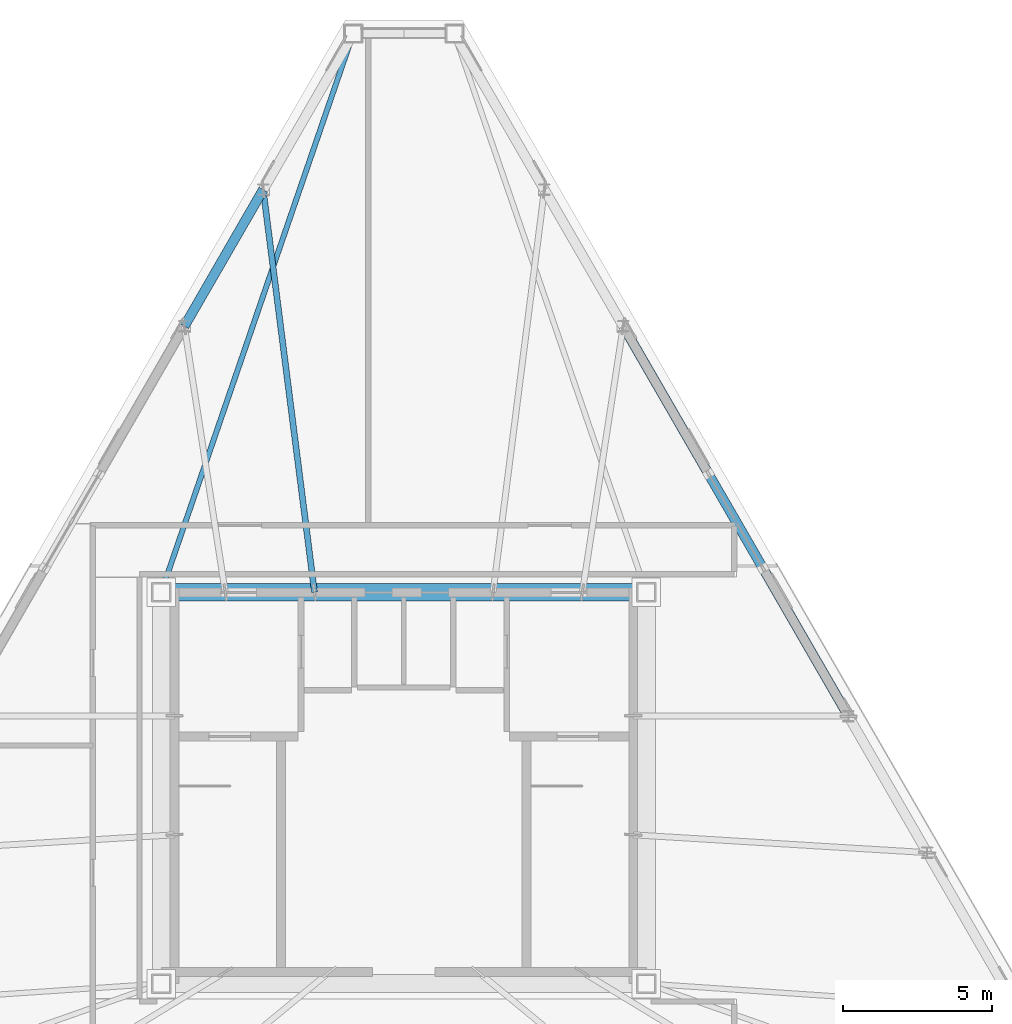
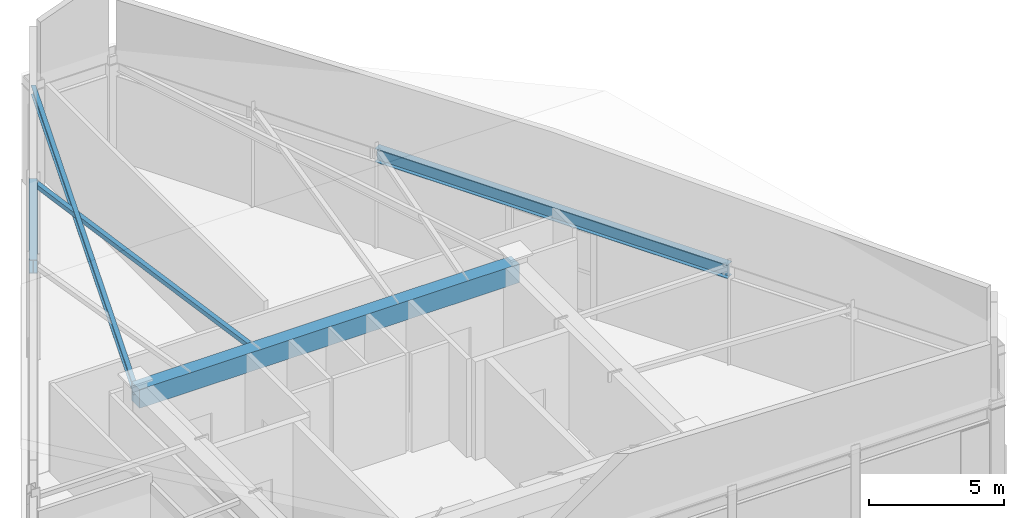
# One storey, part 5 of 11: 4 beams, 1 member.
"""IFC4 building model written with IfcOpenShell, lengths in metres."""

import ifcopenshell
import ifcopenshell.guid

model = None  # the IFC model being written
_history = None  # IfcOwnerHistory: only IFC2X3 demands one
_inside = {}  # id of a spatial element -> (the spatial element, [elements in it])
_under = {}  # id of a project, library or spatial element -> (it, [spatial elements below it])
_declared = {}  # id of a project -> (the project, [libraries it declares])
_typed = {}  # id of a type object -> (the type object, [elements of that type])
_made_of = {}  # id of a material, layer set ... -> (it, [elements and type objects made of it])


def new_model(schema):
    """Start an empty IFC model of exactly this schema.

    Asked for "IFC4X3", IfcOpenShell would pick the latest addendum, in which some entities
    have other attributes; the version numbers below select the first issue.
    IFC2X3 requires an IfcOwnerHistory on every rooted entity: one is made here for all.
    """
    global model, _history
    if schema == "IFC4X3":
        model = ifcopenshell.file(schema_version=(4, 3, 0, 0))
    else:
        model = ifcopenshell.file(schema=schema)
    _inside.clear()
    _under.clear()
    _declared.clear()
    _typed.clear()
    _made_of.clear()
    _history = None
    if model.schema == "IFC2X3":
        org = make("IfcOrganization", Name="unknown")
        user = make(
            "IfcPersonAndOrganization",
            ThePerson=make("IfcPerson", FamilyName="unknown"),
            TheOrganization=org,
        )
        app = make(
            "IfcApplication",
            ApplicationDeveloper=org,
            Version="unknown",
            ApplicationFullName="unknown",
            ApplicationIdentifier="unknown",
        )
        _history = make(
            "IfcOwnerHistory",
            OwningUser=user,
            OwningApplication=app,
            ChangeAction="ADDED",
            CreationDate=0,
        )
    return model


def make(cls, **values):
    """One entity of the class cls with the attributes given. An attribute that is None is left unset."""
    return model.create_entity(
        cls, **{name: value for name, value in values.items() if value is not None}
    )


def rooted(cls, **values):
    """An entity with a GlobalId (a new one), such as an element, a storey or a relation."""
    return make(cls, GlobalId=ifcopenshell.guid.new(), OwnerHistory=_history, **values)


def si_unit(unit_type, name, prefix=None):
    """IfcSIUnit, for example si_unit("LENGTHUNIT", "METRE", prefix="MILLI")."""
    return make("IfcSIUnit", UnitType=unit_type, Prefix=prefix, Name=name)


def assignment(units):
    """IfcUnitAssignment: the units of a project."""
    return None if units is None else make("IfcUnitAssignment", Units=units)


def point(xyz):
    """IfcCartesianPoint."""
    return None if xyz is None else make("IfcCartesianPoint", Coordinates=xyz)


def direction(xyz):
    """IfcDirection."""
    return None if xyz is None else make("IfcDirection", DirectionRatios=xyz)


def frame(location, z_axis=None, x_axis=None):
    """IfcAxis2Placement3D, a coordinate frame: its origin and axes. An axis left out is left unset."""
    return make(
        "IfcAxis2Placement3D",
        Location=point(location),
        Axis=direction(z_axis),
        RefDirection=direction(x_axis),
    )


def frame_2d(location, x_axis=None):
    """IfcAxis2Placement2D, a coordinate frame in the plane: its origin and x axis."""
    return make(
        "IfcAxis2Placement2D", Location=point(location), RefDirection=direction(x_axis)
    )


def origin():
    """The frame at (0, 0, 0) with its axes left unset."""
    return frame((0.0, 0.0, 0.0))


def origin_2d():
    """The frame at (0, 0) in the plane with its x axis left unset."""
    return frame_2d((0.0, 0.0))


def place(relative_to, where):
    """IfcLocalPlacement: puts the frame where relative to a parent placement (None: the world)."""
    return make(
        "IfcLocalPlacement", PlacementRelTo=relative_to, RelativePlacement=where
    )


def context(
    kind, dimensions, precision=None, world=None, true_north=None, identifier=None
):
    """IfcGeometricRepresentationContext, for example the 3D "Model" context."""
    return make(
        "IfcGeometricRepresentationContext",
        ContextIdentifier=identifier,
        ContextType=kind,
        CoordinateSpaceDimension=dimensions,
        Precision=precision,
        WorldCoordinateSystem=world,
        TrueNorth=true_north,
    )


def subcontext(parent, identifier, kind, view, scale=None):
    """IfcGeometricRepresentationSubContext, for example "Body" below "Model"."""
    return make(
        "IfcGeometricRepresentationSubContext",
        ContextIdentifier=identifier,
        ContextType=kind,
        ParentContext=parent,
        TargetScale=scale,
        TargetView=view,
    )


def project(units=None, contexts=None):
    """IfcProject with its units and contexts."""
    return rooted(
        "IfcProject",
        Name="project",
        RepresentationContexts=contexts,
        UnitsInContext=assignment(units),
    )


def spatial(cls, under=None, at=None, **own):
    """A site, building, storey or space (cls), placed at a placement, below another one or the project."""
    s = rooted(cls, ObjectPlacement=at, **own)
    if under is not None:
        _under.setdefault(under.id(), (under, []))[1].append(s)
    return s


def profile(cls, at=None, kind="AREA", **sizes):
    """A parametric profile (cls). Its sizes go by their IFC names, for example OverallWidth=200.0."""
    return make(cls, ProfileType=kind, Position=at, **sizes)


def rectangle(**sizes):
    """IfcRectangleProfileDef."""
    return profile("IfcRectangleProfileDef", **sizes)


def hollow_rectangle(**sizes):
    """IfcRectangleHollowProfileDef."""
    return profile("IfcRectangleHollowProfileDef", **sizes)


def i_section(**sizes):
    """IfcIShapeProfileDef."""
    return profile("IfcIShapeProfileDef", **sizes)


def extrude(swept, where, along, depth):
    """IfcExtrudedAreaSolid: the profile swept, set in the frame where, extruded along a direction by depth."""
    return make(
        "IfcExtrudedAreaSolid",
        SweptArea=swept,
        Position=where,
        ExtrudedDirection=direction(along),
        Depth=depth,
    )


def shape(context_of_items, identifier, shape_type, items):
    """IfcShapeRepresentation: the items that make up one representation, for example the "Body"."""
    return make(
        "IfcShapeRepresentation",
        ContextOfItems=context_of_items,
        RepresentationIdentifier=identifier,
        RepresentationType=shape_type,
        Items=items,
    )


def material(Name=None, Category=None):
    """IfcMaterial."""
    return make("IfcMaterial", Name=Name, Category=Category)


def material_profile(
    of_material, cross_section, Name=None, Category=None, Priority=None
):
    """IfcMaterialProfile: a cross section and its material."""
    return make(
        "IfcMaterialProfile",
        Name=Name,
        Material=of_material,
        Profile=cross_section,
        Priority=Priority,
        Category=Category,
    )


def profile_set(profiles, Name=None, composite=None):
    """IfcMaterialProfileSet."""
    return make(
        "IfcMaterialProfileSet",
        Name=Name,
        MaterialProfiles=profiles,
        CompositeProfile=composite,
    )


def made_of(thing, what):
    """Note that an element or type object is made of a material, layer set ...; save() writes the relation."""
    if what is not None:
        _made_of.setdefault(what.id(), (what, []))[1].append(thing)
    return thing


def type_object(cls, material=None, **own):
    """A type object (cls), such as IfcWallType, which elements share."""
    return made_of(rooted(cls, **own), material)


def element(
    cls,
    number,
    at=None,
    inside=None,
    cuts=None,
    type_object=None,
    material=None,
    context=None,
    identifier="Body",
    shape_type=None,
    held_by="IfcProductDefinitionShape",
    body=None,
    shapes=None,
    **own,
):
    """One element of the class cls, such as IfcWall. Its Tag is "e" and its number.

    at: its placement. inside: the storey or other place that contains it. cuts: it is an
    opening in that element (IfcRelVoidsElement). A single representation is given by context,
    identifier, shape_type and body (its items); several are given by shapes. held_by: the class
    of the entity that holds the representations. save() writes the other relations.
    """
    e = rooted(cls, Tag="e%d" % number, ObjectPlacement=at, **own)
    if body is not None:
        shapes = [shape(context, identifier, shape_type, body)]
    if shapes is not None:
        e.Representation = make(held_by, Representations=shapes)
    if inside is not None:
        _inside.setdefault(inside.id(), (inside, []))[1].append(e)
    if cuts is not None:
        rooted(
            "IfcRelVoidsElement", RelatingBuildingElement=cuts, RelatedOpeningElement=e
        )
    if type_object is not None:
        _typed.setdefault(type_object.id(), (type_object, []))[1].append(e)
    return made_of(e, material)


def aggregate(whole, parts):
    """IfcRelAggregates: a whole, such as a stair, and the parts it consists of."""
    return rooted("IfcRelAggregates", RelatingObject=whole, RelatedObjects=parts)


def save(model, path):
    """Write the relations noted so far, then the file.

    IfcRelAggregates (storeys below a building ...), IfcRelContainedInSpatialStructure (elements
    in a storey), IfcRelDefinesByType, IfcRelAssociatesMaterial and IfcRelDeclares: one each for
    every whole, place, type object, material and project.
    """
    for whole, parts in _under.values():
        aggregate(whole, parts)
    for where, things in _inside.values():
        rooted(
            "IfcRelContainedInSpatialStructure",
            RelatedElements=things,
            RelatingStructure=where,
        )
    for kind, things in _typed.values():
        rooted("IfcRelDefinesByType", RelatedObjects=things, RelatingType=kind)
    for what, things in _made_of.values():
        rooted("IfcRelAssociatesMaterial", RelatedObjects=things, RelatingMaterial=what)
    for by, libraries in _declared.values():
        rooted("IfcRelDeclares", RelatingContext=by, RelatedDefinitions=libraries)
    model.write(path)


model = new_model("IFC4")

# Units and contexts
model_context = context("Model", 3, precision=1e-05, world=origin(), true_north=direction((0.0, 1.0)))
body_context = subcontext(model_context, "Body", "Model", "MODEL_VIEW")
ifc_project = project(units=[si_unit("LENGTHUNIT", "METRE"), si_unit("AREAUNIT", "SQUARE_METRE"), si_unit("VOLUMEUNIT", "CUBIC_METRE"), si_unit("PLANEANGLEUNIT", "RADIAN"), si_unit("MASSUNIT", "GRAM", prefix="KILO")], contexts=[model_context])

# Site, building, storey
site_placement = place(None, origin())
site = spatial("IfcSite", under=ifc_project, at=site_placement, CompositionType="ELEMENT")
building_placement = place(site_placement, origin())
building = spatial("IfcBuilding", under=site, at=building_placement, Name="Oramaril Tower", CompositionType="ELEMENT")
storey_placement = place(building_placement, frame((0.0, 0.0, 318.89990234375)))
storey = spatial("IfcBuildingStorey", under=building, at=storey_placement, Name="L83", CompositionType="ELEMENT", Elevation=318.89990234375)

# Beams
ifc_material_1 = material(Name="Concrete C50/60", Category="concrete")
ifc_material_profile_1 = material_profile(ifc_material_1, rectangle(XDim=0.60009765625, YDim=0.85009765625, at=origin_2d()), Name="CB600X850")
ifc_profile_set_1 = profile_set([ifc_material_profile_1], Name="Concrete C50/60")
beam_type_1 = type_object("IfcBeamType", Name="BT-CB2", PredefinedType="BEAM", material=ifc_profile_set_1)
beam_1_placement = place(storey_placement, frame((45.64990234375, 24.14990234375, 4.03515625), z_axis=(-1.0, 0.0, 0.0), x_axis=(0.0, -1.0, 0.0)))
element("IfcBeam", 1, at=beam_1_placement, inside=storey, type_object=beam_type_1, Name="L83 Core Header Beam CB-3", PredefinedType="BEAM", context=body_context, shape_type="SweptSolid", body=[
    extrude(rectangle(XDim=0.60009765625, YDim=0.85009765625, at=origin_2d()), origin(), (0.0, 0.0, 1.0), 16.2998046875),
])
ifc_material_2 = material(Name="Steel ASTM A572 Gr 50", Category="steel")
ifc_material_profile_2 = material_profile(ifc_material_2, i_section(OverallWidth=0.177978515625, OverallDepth=0.404052734375, WebThickness=0.007568359375, FlangeThickness=0.010986328125, at=origin_2d()), Name="W16X36")
ifc_profile_set_2 = profile_set([ifc_material_profile_2], Name="Steel ASTM A572 Gr 50")
beam_type_2 = type_object("IfcBeamType", Name="BT-SB1", PredefinedType="BEAM", material=ifc_profile_set_2)
beam_2_placement = place(storey_placement, frame((29.35009765625, 24.14990234375, 4.258056640625), z_axis=(0.325044703375, 0.945698652218, 0.0), x_axis=(-0.945698652218, 0.325044703375, 0.0)))
element("IfcBeam", 2, at=beam_2_placement, inside=storey, type_object=beam_type_2, Name="L83 Radial Primary Beam RB-06", PredefinedType="BEAM", context=body_context, shape_type="SweptSolid", body=[
    extrude(i_section(OverallWidth=0.177978515625, OverallDepth=0.404052734375, WebThickness=0.007568359375, FlangeThickness=0.010986328125, at=origin_2d()), origin(), (0.0, 0.0, 1.0), 19.847900390625),
])
ifc_material_3 = material(Name="Steel ASTM A572 Gr 50", Category="steel")
ifc_material_profile_3 = material_profile(ifc_material_3, i_section(OverallWidth=0.324951171875, OverallDepth=0.612060546875, WebThickness=0.0126953125, FlangeThickness=0.01904296875, at=origin_2d()), Name="W24X104")
ifc_profile_set_3 = profile_set([ifc_material_profile_3], Name="Steel ASTM A572 Gr 50")
beam_type_3 = type_object("IfcBeamType", Name="BT-SP5", PredefinedType="SPANDREL", material=ifc_profile_set_3)
beam_3_placement = place(storey_placement, frame((52.43798828125, 19.98876953125, 4.154052734375), z_axis=(-0.500005522576, 0.8660222153, 0.0), x_axis=(-0.8660222153, -0.500005522576, 0.0)))
element("IfcBeam", 3, at=beam_3_placement, inside=storey, type_object=beam_type_3, Name="L83 Perimeter Spandrel 10", PredefinedType="SPANDREL", context=body_context, shape_type="SweptSolid", body=[
    extrude(i_section(OverallWidth=0.324951171875, OverallDepth=0.612060546875, WebThickness=0.0126953125, FlangeThickness=0.01904296875, at=origin_2d()), origin(), (0.0, 0.0, 1.0), 15.130615234375),
])
beam_4_placement = place(storey_placement, frame((32.775390625, 37.6787109375, 4.154052734375), z_axis=(-0.499996467947, -0.866027443007, 0.0), x_axis=(0.866027443007, -0.499996467947, 0.0)))
element("IfcBeam", 4, at=beam_4_placement, inside=storey, type_object=beam_type_3, Name="L83 Perimeter Spandrel 15", PredefinedType="SPANDREL", context=body_context, shape_type="SweptSolid", body=[
    extrude(i_section(OverallWidth=0.324951171875, OverallDepth=0.612060546875, WebThickness=0.0126953125, FlangeThickness=0.01904296875, at=origin_2d()), origin(), (0.0, 0.0, 1.0), 5.2958984375),
])

# Member
ifc_material_4 = material(Name="Steel ASTM A572 Gr 50", Category="steel")
ifc_material_profile_4 = material_profile(ifc_material_4, hollow_rectangle(XDim=0.199951171875, YDim=0.199951171875, WallThickness=0.010009765625, at=origin_2d()), Name="HSS200X200X10")
ifc_profile_set_4 = profile_set([ifc_material_profile_4], Name="Steel ASTM A572 Gr 50")
member_type = type_object("IfcMemberType", Name="MT-RF1", PredefinedType="RAFTER", material=ifc_profile_set_4)
member_placement = place(storey_placement, frame((32.775390625, 37.6787109375, 4.31005859375), z_axis=(0.126453495487, -0.991972536656, 0.0), x_axis=(0.991972536656, 0.126453495487, 0.0)))
element("IfcMember", 5, at=member_placement, inside=storey, type_object=member_type, Name="L83 Crown Roof Rafter RF-09", PredefinedType="RAFTER", context=body_context, shape_type="SweptSolid", body=[
    extrude(hollow_rectangle(XDim=0.199951171875, YDim=0.199951171875, WallThickness=0.010009765625, at=origin_2d()), origin(), (0.0, 0.0, 1.0), 13.63818359375),
])

save(model, "model.ifc")
